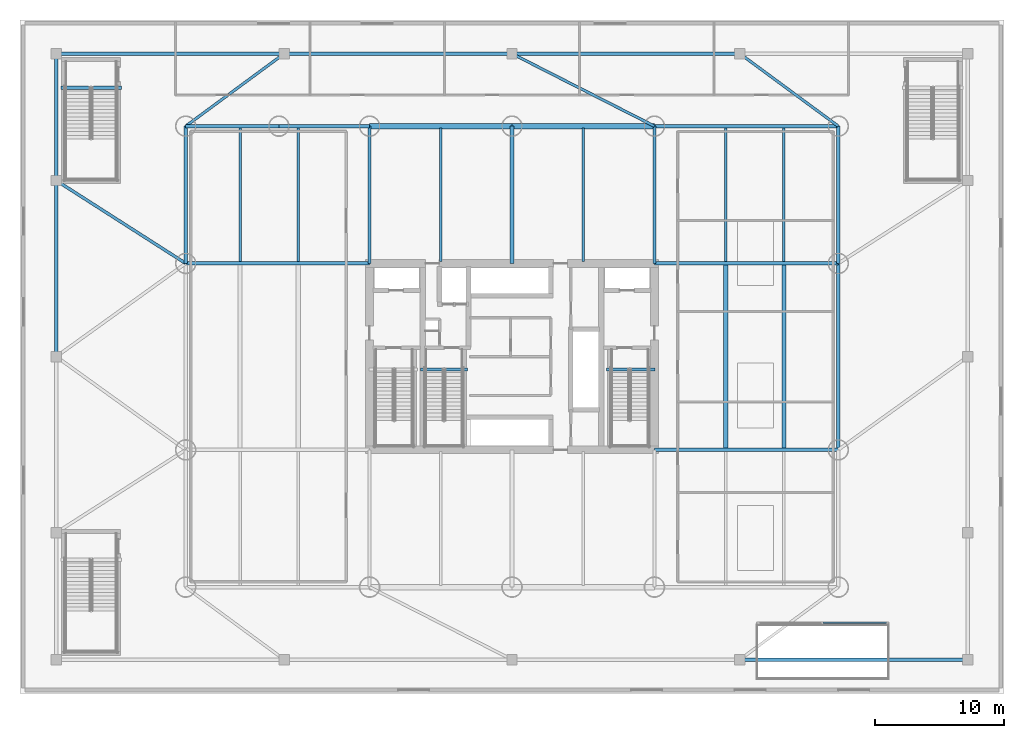
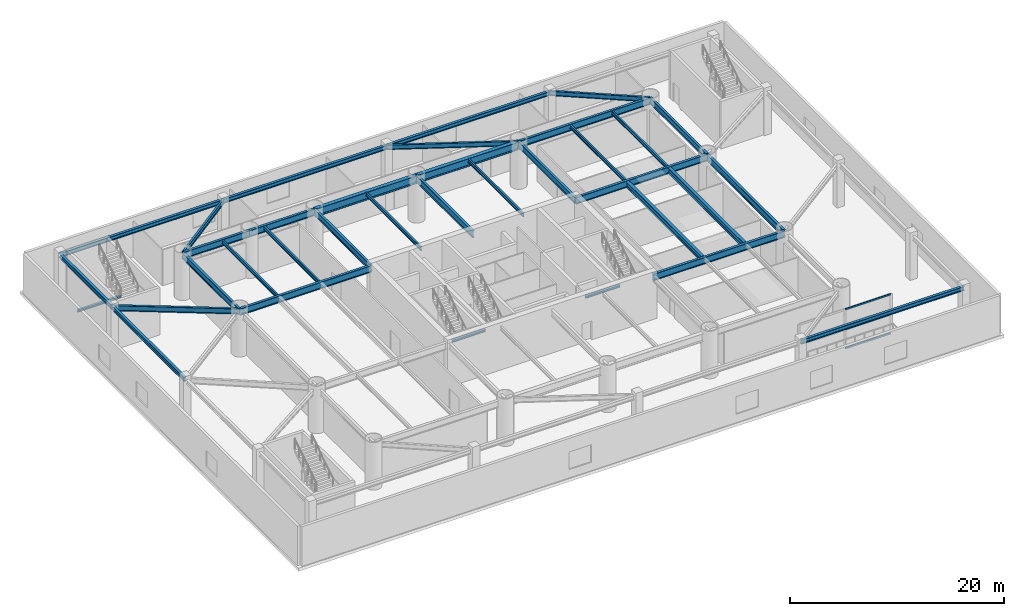
# One storey, part 3 of 16: 35 beams, 3 members, 1 element without a shape of its own.
"""IFC4 building model written with IfcOpenShell, lengths in metres."""

from ifc_helpers import new_model, si_unit, direction, frame, origin, origin_2d, place, context, subcontext, project, spatial, hollow_rectangle, i_section, extrude, material, layer, layer_set, material_profile, profile_set, type_object, element, aggregate, save


model = new_model("IFC4")

# Units and contexts
model_context = context("Model", 3, precision=1e-05, world=origin(), true_north=direction((0.0, 1.0)))
body_context = subcontext(model_context, "Body", "Model", "MODEL_VIEW")
ifc_project = project(units=[si_unit("LENGTHUNIT", "METRE"), si_unit("AREAUNIT", "SQUARE_METRE"), si_unit("VOLUMEUNIT", "CUBIC_METRE"), si_unit("PLANEANGLEUNIT", "RADIAN"), si_unit("MASSUNIT", "GRAM", prefix="KILO")], contexts=[model_context])

# Site, building, storey
site_placement = place(None, origin())
site = spatial("IfcSite", under=ifc_project, at=site_placement, CompositionType="ELEMENT")
building_placement = place(site_placement, origin())
building = spatial("IfcBuilding", under=site, at=building_placement, Name="Bramvorn Convention Spire", CompositionType="ELEMENT")
storey_placement = place(building_placement, frame((0.0, 0.0, 30.0)))
storey = spatial("IfcBuildingStorey", under=building, at=storey_placement, Name="L05", CompositionType="ELEMENT", Elevation=30.0)

# Beams
ifc_material_1 = material(Name="Steel CSA G40.21 Grade 350 (350W)", Category="steel")
ifc_material_profile_1 = material_profile(ifc_material_1, i_section(OverallWidth=0.25390625, OverallDepth=0.2529296875, WebThickness=0.008544921875, FlangeThickness=0.01416015625, FilletRadius=0.011962890625, at=origin_2d()))
ifc_profile_set_1 = profile_set([ifc_material_profile_1], Name="Steel CSA G40.21 Grade 350 (350W) - W250X73")
beam_type_1 = type_object("IfcBeamType", Name="BM-W250X73", PredefinedType="BEAM", material=ifc_profile_set_1)
beam_1_placement = place(storey_placement, frame((45.31005859375, 25.010009765625, -0.12646484375), z_axis=(1.0, 0.0, 0.0), x_axis=(0.0, 1.0, 0.0)))
element("IfcBeam", 1, at=beam_1_placement, inside=storey, type_object=beam_type_1, Name="L05 ST2 stair arrival header beam", PredefinedType="BEAM", context=body_context, shape_type="SweptSolid", body=[
    extrude(i_section(OverallWidth=0.25390625, OverallDepth=0.2529296875, WebThickness=0.008544921875, FlangeThickness=0.01416015625, FilletRadius=0.011962890625, at=origin_2d()), origin(), (0.0, 0.0, 1.0), 3.739990234375),
])
beam_2_placement = place(storey_placement, frame((30.949951171875, 25.010009765625, -0.12646484375), z_axis=(1.0, 0.0, 0.0), x_axis=(0.0, 1.0, 0.0)))
element("IfcBeam", 2, at=beam_2_placement, inside=storey, type_object=beam_type_1, Name="L05 ST3 stair arrival header beam", PredefinedType="BEAM", context=body_context, shape_type="SweptSolid", body=[
    extrude(i_section(OverallWidth=0.25390625, OverallDepth=0.2529296875, WebThickness=0.008544921875, FlangeThickness=0.01416015625, FilletRadius=0.011962890625, at=origin_2d()), origin(), (0.0, 0.0, 1.0), 3.610107421875),
])
beam_3_placement = place(storey_placement, frame((3.14990234375, 46.760009765625, -0.12646484375), z_axis=(1.0, 0.0, 0.0), x_axis=(0.0, 1.0, 0.0)))
element("IfcBeam", 3, at=beam_3_placement, inside=storey, type_object=beam_type_1, Name="L05 ST6 stair arrival header beam", PredefinedType="BEAM", context=body_context, shape_type="SweptSolid", body=[
    extrude(i_section(OverallWidth=0.25390625, OverallDepth=0.2529296875, WebThickness=0.008544921875, FlangeThickness=0.01416015625, FilletRadius=0.011962890625, at=origin_2d()), origin(), (0.0, 0.0, 1.0), 4.68017578125),
])
ifc_material_profile_2 = material_profile(ifc_material_1, i_section(OverallWidth=0.180908203125, OverallDepth=0.4169921875, WebThickness=0.010986328125, FlangeThickness=0.018310546875, FilletRadius=0.01611328125, at=origin_2d()))
ifc_profile_set_2 = profile_set([ifc_material_profile_2], Name="Steel CSA G40.21 Grade 350 (350W) - W410X85")
beam_type_2 = type_object("IfcBeamType", Name="BM-W410X85", PredefinedType="JOIST", material=ifc_profile_set_2)
for number, where, z_axis, x_axis, name in (
    (4, (17.0, 33.340087890625, 4.79150390625), (0.0, 1.0, 0.0), (-1.0, 0.0, 0.0), "L05 side hall joist N-1"),
    (5, (21.5, 33.340087890625, 4.79150390625), (0.0, 1.0, 0.0), (-1.0, 0.0, 0.0), "L05 side hall joist N-2"),
    (6, (32.5, 33.340087890625, 4.79150390625), (0.0, 1.0, 0.0), (-1.0, 0.0, 0.0), "L05 north hall composite joist 3"),
    (7, (43.5, 33.340087890625, 4.79150390625), (0.0, 1.0, 0.0), (-1.0, 0.0, 0.0), "L05 north hall composite joist 4"),
    (8, (54.5, 33.340087890625, 4.79150390625), (0.0, 1.0, 0.0), (-1.0, 0.0, 0.0), "L05 side hall joist N-5"),
    (9, (59.0, 33.340087890625, 4.79150390625), (0.0, 1.0, 0.0), (-1.0, 0.0, 0.0), "L05 side hall joist N-6"),
):
    element("IfcBeam", number, at=place(storey_placement, frame(where, z_axis=z_axis, x_axis=x_axis)), inside=storey, type_object=beam_type_2, Name=name, PredefinedType="JOIST", context=body_context, shape_type="SweptSolid", body=[
        extrude(i_section(OverallWidth=0.180908203125, OverallDepth=0.4169921875, WebThickness=0.010986328125, FlangeThickness=0.018310546875, FilletRadius=0.01611328125, at=origin_2d()), origin(), (0.0, 0.0, 1.0), 10.31982421875),
    ])
ifc_material_profile_3 = material_profile(ifc_material_1, i_section(OverallWidth=0.283935546875, OverallDepth=0.47607421875, WebThickness=0.014892578125, FlangeThickness=0.02392578125, FilletRadius=0.01806640625, at=origin_2d()))
ifc_profile_set_3 = profile_set([ifc_material_profile_3], Name="Steel CSA G40.21 Grade 350 (350W) - W460X158")
beam_type_3 = type_object("IfcBeamType", Name="BM-W460X158", PredefinedType="SPANDREL", material=ifc_profile_set_3)
beam_4_placement = place(storey_placement, frame((55.60009765625, 2.60009765625, 4.761962890625), z_axis=(1.0, 0.0, 0.0), x_axis=(0.0, 1.0, 0.0)))
element("IfcBeam", 10, at=beam_4_placement, inside=storey, type_object=beam_type_3, Name="L05 podium spandrel beam 04", PredefinedType="SPANDREL", context=body_context, shape_type="SweptSolid", body=[
    extrude(i_section(OverallWidth=0.283935546875, OverallDepth=0.47607421875, WebThickness=0.014892578125, FlangeThickness=0.02392578125, FilletRadius=0.01806640625, at=origin_2d()), origin(), (0.0, 0.0, 1.0), 17.599853515625),
])
for number, where, z_axis, x_axis, name in (
    (11, (55.60009765625, 49.39990234375, 4.761962890625), (-1.0, 0.0, 0.0), (0.0, -1.0, 0.0), "L05 podium spandrel beam 10"),
    (12, (38.0, 49.39990234375, 4.761962890625), (-1.0, 0.0, 0.0), (0.0, -1.0, 0.0), "L05 podium spandrel beam 11"),
):
    element("IfcBeam", number, at=place(storey_placement, frame(where, z_axis=z_axis, x_axis=x_axis)), inside=storey, type_object=beam_type_3, Name=name, PredefinedType="SPANDREL", context=body_context, shape_type="SweptSolid", body=[
        extrude(i_section(OverallWidth=0.283935546875, OverallDepth=0.47607421875, WebThickness=0.014892578125, FlangeThickness=0.02392578125, FilletRadius=0.01806640625, at=origin_2d()), origin(), (0.0, 0.0, 1.0), 17.60009765625),
    ])
beam_5_placement = place(storey_placement, frame((20.39990234375, 49.39990234375, 4.761962890625), z_axis=(-1.0, 0.0, 0.0), x_axis=(0.0, -1.0, 0.0)))
element("IfcBeam", 13, at=beam_5_placement, inside=storey, type_object=beam_type_3, Name="L05 podium spandrel beam 12", PredefinedType="SPANDREL", context=body_context, shape_type="SweptSolid", body=[
    extrude(i_section(OverallWidth=0.283935546875, OverallDepth=0.47607421875, WebThickness=0.014892578125, FlangeThickness=0.02392578125, FilletRadius=0.01806640625, at=origin_2d()), origin(), (0.0, 0.0, 1.0), 17.599853515625),
])
beam_6_placement = place(storey_placement, frame((2.800048828125, 49.39990234375, 4.761962890625), z_axis=(0.0, -1.0, 0.0), x_axis=(1.0, 0.0, 0.0)))
element("IfcBeam", 14, at=beam_6_placement, inside=storey, type_object=beam_type_3, Name="L05 podium spandrel beam 13", PredefinedType="SPANDREL", context=body_context, shape_type="SweptSolid", body=[
    extrude(i_section(OverallWidth=0.283935546875, OverallDepth=0.47607421875, WebThickness=0.014892578125, FlangeThickness=0.02392578125, FilletRadius=0.01806640625, at=origin_2d()), origin(), (0.0, 0.0, 1.0), 9.7998046875),
])
beam_7_placement = place(storey_placement, frame((2.800048828125, 39.60009765625, 4.761962890625), z_axis=(0.0, -1.0, 0.0), x_axis=(1.0, 0.0, 0.0)))
element("IfcBeam", 15, at=beam_7_placement, inside=storey, type_object=beam_type_3, Name="L05 podium spandrel beam 14", PredefinedType="SPANDREL", context=body_context, shape_type="SweptSolid", body=[
    extrude(i_section(OverallWidth=0.283935546875, OverallDepth=0.47607421875, WebThickness=0.014892578125, FlangeThickness=0.02392578125, FilletRadius=0.01806640625, at=origin_2d()), origin(), (0.0, 0.0, 1.0), 13.60009765625),
])
ifc_material_profile_4 = material_profile(ifc_material_1, i_section(OverallWidth=0.2119140625, OverallDepth=0.5439453125, WebThickness=0.01318359375, FlangeThickness=0.021240234375, FilletRadius=0.01904296875, at=origin_2d()))
ifc_profile_set_4 = profile_set([ifc_material_profile_4], Name="Steel CSA G40.21 Grade 350 (350W) - W530X123")
beam_type_4 = type_object("IfcBeamType", Name="BM-W530X123", PredefinedType="BEAM", material=ifc_profile_set_4)
beam_8_placement = place(storey_placement, frame((20.39990234375, 49.39990234375, 4.72802734375), z_axis=(-0.805057787445, -0.593196391488, 0.0), x_axis=(0.593196391488, -0.805057787445, 0.0)))
element("IfcBeam", 16, at=beam_8_placement, inside=storey, type_object=beam_type_4, Name="L05 podium primary girder 31", PredefinedType="BEAM", context=body_context, shape_type="SweptSolid", body=[
    extrude(i_section(OverallWidth=0.2119140625, OverallDepth=0.5439453125, WebThickness=0.01318359375, FlangeThickness=0.021240234375, FilletRadius=0.01904296875, at=origin_2d()), origin(), (0.0, 0.0, 1.0), 9.440185546875),
])
beam_9_placement = place(storey_placement, frame((38.0, 49.39990234375, 4.72802734375), z_axis=(0.891167913636, -0.453673615835, 0.0), x_axis=(0.453673615835, 0.891167913636, 0.0)))
element("IfcBeam", 17, at=beam_9_placement, inside=storey, type_object=beam_type_4, Name="L05 podium primary girder 32", PredefinedType="BEAM", context=body_context, shape_type="SweptSolid", body=[
    extrude(i_section(OverallWidth=0.2119140625, OverallDepth=0.5439453125, WebThickness=0.01318359375, FlangeThickness=0.021240234375, FilletRadius=0.01904296875, at=origin_2d()), origin(), (0.0, 0.0, 1.0), 12.34326171875),
])
beam_10_placement = place(storey_placement, frame((55.60009765625, 49.39990234375, 4.72802734375), z_axis=(0.805057787445, -0.593196391488, 0.0), x_axis=(0.593196391488, 0.805057787445, 0.0)))
element("IfcBeam", 18, at=beam_10_placement, inside=storey, type_object=beam_type_4, Name="L05 podium primary girder 33", PredefinedType="BEAM", context=body_context, shape_type="SweptSolid", body=[
    extrude(i_section(OverallWidth=0.2119140625, OverallDepth=0.5439453125, WebThickness=0.01318359375, FlangeThickness=0.021240234375, FilletRadius=0.01904296875, at=origin_2d()), origin(), (0.0, 0.0, 1.0), 9.440185546875),
])
ifc_material_profile_5 = material_profile(ifc_material_1, i_section(OverallWidth=0.22998046875, OverallDepth=0.616943359375, WebThickness=0.01318359375, FlangeThickness=0.022216796875, FilletRadius=0.02001953125, at=origin_2d()))
ifc_profile_set_5 = profile_set([ifc_material_profile_5], Name="Steel CSA G40.21 Grade 350 (350W) - W610X140")
beam_type_5 = type_object("IfcBeamType", Name="BM-W610X140", PredefinedType="BEAM", material=ifc_profile_set_5)
beam_11_placement = place(storey_placement, frame((2.800048828125, 39.60009765625, 4.69140625), z_axis=(0.842265798855, -0.539062449145, 0.0), x_axis=(0.539062449145, 0.842265798855, 0.0)))
element("IfcBeam", 19, at=beam_11_placement, inside=storey, type_object=beam_type_5, Name="L05 west podium tie girder 2", PredefinedType="BEAM", context=body_context, shape_type="SweptSolid", body=[
    extrude(i_section(OverallWidth=0.22998046875, OverallDepth=0.616943359375, WebThickness=0.01318359375, FlangeThickness=0.022216796875, FilletRadius=0.02001953125, at=origin_2d()), origin(), (0.0, 0.0, 1.0), 11.872802734375),
])
ifc_material_profile_6 = material_profile(ifc_material_1, i_section(OverallWidth=0.327880859375, OverallDepth=0.6279296875, WebThickness=0.0166015625, FlangeThickness=0.027587890625, FilletRadius=0.02001953125, at=origin_2d()))
ifc_profile_set_6 = profile_set([ifc_material_profile_6], Name="Steel CSA G40.21 Grade 350 (350W) - W610X217")
beam_type_6 = type_object("IfcBeamType", Name="BM-W610X217", PredefinedType="BEAM", material=ifc_profile_set_6)
for number, where, z_axis, x_axis, name in (
    (20, (54.5, 18.93994140625, 4.68603515625), (0.0, 1.0, 0.0), (-1.0, 0.0, 0.0), "L05 main exhibition clear-span joist M-5"),
    (21, (59.0, 18.93994140625, 4.68603515625), (0.0, 1.0, 0.0), (-1.0, 0.0, 0.0), "L05 main exhibition clear-span joist M-6"),
):
    element("IfcBeam", number, at=place(storey_placement, frame(where, z_axis=z_axis, x_axis=x_axis)), inside=storey, type_object=beam_type_6, Name=name, PredefinedType="BEAM", context=body_context, shape_type="SweptSolid", body=[
        extrude(i_section(OverallWidth=0.327880859375, OverallDepth=0.6279296875, WebThickness=0.0166015625, FlangeThickness=0.027587890625, FilletRadius=0.02001953125, at=origin_2d()), origin(), (0.0, 0.0, 1.0), 14.1201171875),
    ])
ifc_material_profile_7 = material_profile(ifc_material_1, i_section(OverallWidth=0.256103515625, OverallDepth=0.693115234375, WebThickness=0.014404296875, FlangeThickness=0.023681640625, FilletRadius=0.02197265625, at=origin_2d()))
ifc_profile_set_7 = profile_set([ifc_material_profile_7], Name="Steel CSA G40.21 Grade 350 (350W) - W690X170")
beam_type_7 = type_object("IfcBeamType", Name="BM-W690X170", PredefinedType="BEAM", material=ifc_profile_set_7)
for number, where, z_axis, x_axis, name in (
    (22, (12.800048828125, 33.199951171875, 4.653564453125), (0.0, 1.0, 0.0), (-1.0, 0.0, 0.0), "L05 podium primary girder 14"),
    (23, (63.199951171875, 33.199951171875, 4.653564453125), (0.0, 1.0, 0.0), (-1.0, 0.0, 0.0), "L05 podium primary girder 17"),
    (24, (27.0, 33.199951171875, 4.653564453125), (0.0, 1.0, 0.0), (-1.0, 0.0, 0.0), "L05 podium primary girder 24"),
    (25, (49.0, 33.199951171875, 4.653564453125), (0.0, 1.0, 0.0), (-1.0, 0.0, 0.0), "L05 podium primary girder 25"),
):
    element("IfcBeam", number, at=place(storey_placement, frame(where, z_axis=z_axis, x_axis=x_axis)), inside=storey, type_object=beam_type_7, Name=name, PredefinedType="BEAM", context=body_context, shape_type="SweptSolid", body=[
        extrude(i_section(OverallWidth=0.256103515625, OverallDepth=0.693115234375, WebThickness=0.014404296875, FlangeThickness=0.023681640625, FilletRadius=0.02197265625, at=origin_2d()), origin(), (0.0, 0.0, 1.0), 10.60009765625),
    ])
ifc_material_profile_8 = material_profile(ifc_material_1, i_section(OverallWidth=0.27099609375, OverallDepth=0.76806640625, WebThickness=0.0166015625, FlangeThickness=0.02685546875, FilletRadius=0.02197265625, at=origin_2d()))
ifc_profile_set_8 = profile_set([ifc_material_profile_8], Name="Steel CSA G40.21 Grade 350 (350W) - W760X220")
beam_type_8 = type_object("IfcBeamType", Name="BM-W760X220", PredefinedType="BEAM", material=ifc_profile_set_8)
beam_12_placement = place(storey_placement, frame((12.800048828125, 43.800048828125, 4.615966796875), z_axis=(1.0, 0.0, 0.0), x_axis=(0.0, 1.0, 0.0)))
element("IfcBeam", 26, at=beam_12_placement, inside=storey, type_object=beam_type_8, Name="L05 podium primary girder 05", PredefinedType="BEAM", context=body_context, shape_type="SweptSolid", body=[
    extrude(i_section(OverallWidth=0.27099609375, OverallDepth=0.76806640625, WebThickness=0.0166015625, FlangeThickness=0.02685546875, FilletRadius=0.02197265625, at=origin_2d()), origin(), (0.0, 0.0, 1.0), 7.199951171875),
])
beam_13_placement = place(storey_placement, frame((20.0, 43.800048828125, 4.615966796875), z_axis=(1.0, 0.0, 0.0), x_axis=(0.0, 1.0, 0.0)))
element("IfcBeam", 27, at=beam_13_placement, inside=storey, type_object=beam_type_8, Name="L05 podium primary girder 06", PredefinedType="BEAM", context=body_context, shape_type="SweptSolid", body=[
    extrude(i_section(OverallWidth=0.27099609375, OverallDepth=0.76806640625, WebThickness=0.0166015625, FlangeThickness=0.02685546875, FilletRadius=0.02197265625, at=origin_2d()), origin(), (0.0, 0.0, 1.0), 7.0),
])
beam_14_placement = place(storey_placement, frame((38.0, 33.199951171875, 4.615966796875), z_axis=(0.0, 1.0, 0.0), x_axis=(-1.0, 0.0, 0.0)))
element("IfcBeam", 28, at=beam_14_placement, inside=storey, type_object=beam_type_8, Name="L05 podium primary girder 10", PredefinedType="BEAM", context=body_context, shape_type="SweptSolid", body=[
    extrude(i_section(OverallWidth=0.27099609375, OverallDepth=0.76806640625, WebThickness=0.0166015625, FlangeThickness=0.02685546875, FilletRadius=0.02197265625, at=origin_2d()), origin(), (0.0, 0.0, 1.0), 10.60009765625),
])
beam_15_placement = place(storey_placement, frame((49.0, 43.800048828125, 4.615966796875), z_axis=(1.0, 0.0, 0.0), x_axis=(0.0, 1.0, 0.0)))
element("IfcBeam", 29, at=beam_15_placement, inside=storey, type_object=beam_type_8, Name="L05 podium primary girder 11", PredefinedType="BEAM", context=body_context, shape_type="SweptSolid", body=[
    extrude(i_section(OverallWidth=0.27099609375, OverallDepth=0.76806640625, WebThickness=0.0166015625, FlangeThickness=0.02685546875, FilletRadius=0.02197265625, at=origin_2d()), origin(), (0.0, 0.0, 1.0), 14.199951171875),
])
beam_16_placement = place(storey_placement, frame((63.199951171875, 18.800048828125, 4.615966796875), z_axis=(0.0, 1.0, 0.0), x_axis=(-1.0, 0.0, 0.0)))
element("IfcBeam", 30, at=beam_16_placement, inside=storey, type_object=beam_type_8, Name="L05 podium primary girder 16", PredefinedType="BEAM", context=body_context, shape_type="SweptSolid", body=[
    extrude(i_section(OverallWidth=0.27099609375, OverallDepth=0.76806640625, WebThickness=0.0166015625, FlangeThickness=0.02685546875, FilletRadius=0.02197265625, at=origin_2d()), origin(), (0.0, 0.0, 1.0), 14.39990234375),
])
for number, where, z_axis, x_axis, name in (
    (31, (49.0, 18.800048828125, 4.615966796875), (1.0, 0.0, 0.0), (0.0, 1.0, 0.0), "L05 podium primary girder 19"),
    (32, (12.800048828125, 33.199951171875, 4.615966796875), (1.0, 0.0, 0.0), (0.0, 1.0, 0.0), "L05 podium primary girder 20"),
    (33, (49.0, 33.199951171875, 4.615966796875), (1.0, 0.0, 0.0), (0.0, 1.0, 0.0), "L05 podium primary girder 21"),
):
    element("IfcBeam", number, at=place(storey_placement, frame(where, z_axis=z_axis, x_axis=x_axis)), inside=storey, type_object=beam_type_8, Name=name, PredefinedType="BEAM", context=body_context, shape_type="SweptSolid", body=[
        extrude(i_section(OverallWidth=0.27099609375, OverallDepth=0.76806640625, WebThickness=0.0166015625, FlangeThickness=0.02685546875, FilletRadius=0.02197265625, at=origin_2d()), origin(), (0.0, 0.0, 1.0), 14.199951171875),
    ])
ifc_material_profile_9 = material_profile(ifc_material_1, i_section(OverallWidth=0.41796875, OverallDepth=0.912109375, WebThickness=0.019287109375, FlangeThickness=0.031982421875, FilletRadius=0.02392578125, at=origin_2d()))
ifc_profile_set_9 = profile_set([ifc_material_profile_9], Name="Steel CSA G40.21 Grade 350 (350W) - W920X342")
beam_type_9 = type_object("IfcBeamType", Name="BM-W920X342", PredefinedType="BEAM", material=ifc_profile_set_9)
for number, where, z_axis, x_axis, name in (
    (34, (27.0, 43.800048828125, 4.5439453125), (1.0, 0.0, 0.0), (0.0, 1.0, 0.0), "L05 podium primary girder 07"),
    (35, (38.0, 43.800048828125, 4.5439453125), (1.0, 0.0, 0.0), (0.0, 1.0, 0.0), "L05 podium primary girder 08"),
):
    element("IfcBeam", number, at=place(storey_placement, frame(where, z_axis=z_axis, x_axis=x_axis)), inside=storey, type_object=beam_type_9, Name=name, PredefinedType="BEAM", context=body_context, shape_type="SweptSolid", body=[
        extrude(i_section(OverallWidth=0.41796875, OverallDepth=0.912109375, WebThickness=0.019287109375, FlangeThickness=0.031982421875, FilletRadius=0.02392578125, at=origin_2d()), origin(), (0.0, 0.0, 1.0), 11.0),
    ])

# Curtain wall, members
ifc_material_2 = material(Name="Anodised Bronze Unitised Curtain Wall", Category="aluminium")
ifc_layer = layer(ifc_material_2, 0.219970703125)
ifc_layer_set = layer_set([ifc_layer], Name="Anodised Bronze Unitised Curtain Wall - CW-POD-LANCET")
curtain_wall_type = type_object("IfcCurtainWallType", Name="CW-POD-LANCET", PredefinedType="USERDEFINED", material=ifc_layer_set)
curtain_wall_placement = place(storey_placement, origin())
curtain_wall = element("IfcCurtainWall", 36, at=curtain_wall_placement, inside=storey, type_object=curtain_wall_type, Name="L05 SE colonnade lancet curtain wall", ObjectType="UNITISED CURTAIN WALL", PredefinedType="USERDEFINED")
ifc_material_3 = material(Name="Anodised Bronze Aluminium 6063-T6", Category="aluminium")
ifc_material_profile_10 = material_profile(ifc_material_3, hollow_rectangle(XDim=0.090087890625, YDim=0.179931640625, WallThickness=0.00439453125, InnerFilletRadius=0.0009765625, OuterFilletRadius=0.00439453125, at=origin_2d()))
ifc_profile_set_10 = profile_set([ifc_material_profile_10], Name="Anodised Bronze Aluminium 6063-T6 - CWT90X180")
member_type = type_object("IfcMemberType", Name="CW-TRN-180", PredefinedType="USERDEFINED", material=ifc_profile_set_10)
member_1_placement = place(storey_placement, frame((62.030029296875, 5.449951171875, 0.030029296875), z_axis=(1.0, 0.0, 0.0), x_axis=(0.0, 1.0, 0.0)))
member_1 = element("IfcMember", 37, at=member_1_placement, type_object=member_type, Name="CW1 transom 2.1", ObjectType="TRANSOM", PredefinedType="USERDEFINED", context=body_context, shape_type="SweptSolid", body=[
    extrude(hollow_rectangle(XDim=0.090087890625, YDim=0.179931640625, WallThickness=0.00439453125, InnerFilletRadius=0.0009765625, OuterFilletRadius=0.00439453125, at=origin_2d()), origin(), (0.0, 0.0, 1.0), 4.909912109375),
])
member_2_placement = place(storey_placement, frame((62.030029296875, 5.449951171875, 2.199951171875), z_axis=(1.0, 0.0, 0.0), x_axis=(0.0, 1.0, 0.0)))
member_2 = element("IfcMember", 38, at=member_2_placement, type_object=member_type, Name="CW1 transom 2.2", ObjectType="TRANSOM", PredefinedType="USERDEFINED", context=body_context, shape_type="SweptSolid", body=[
    extrude(hollow_rectangle(XDim=0.090087890625, YDim=0.179931640625, WallThickness=0.00439453125, InnerFilletRadius=0.0009765625, OuterFilletRadius=0.00439453125, at=origin_2d()), origin(), (0.0, 0.0, 1.0), 4.909912109375),
])
member_3_placement = place(storey_placement, frame((62.030029296875, 5.449951171875, 4.47998046875), z_axis=(1.0, 0.0, 0.0), x_axis=(0.0, 1.0, 0.0)))
member_3 = element("IfcMember", 39, at=member_3_placement, type_object=member_type, Name="CW1 transom 2.3", ObjectType="TRANSOM", PredefinedType="USERDEFINED", context=body_context, shape_type="SweptSolid", body=[
    extrude(hollow_rectangle(XDim=0.090087890625, YDim=0.179931640625, WallThickness=0.00439453125, InnerFilletRadius=0.0009765625, OuterFilletRadius=0.00439453125, at=origin_2d()), origin(), (0.0, 0.0, 1.0), 4.909912109375),
])
aggregate(curtain_wall, [member_1, member_2, member_3])

save(model, "model.ifc")
